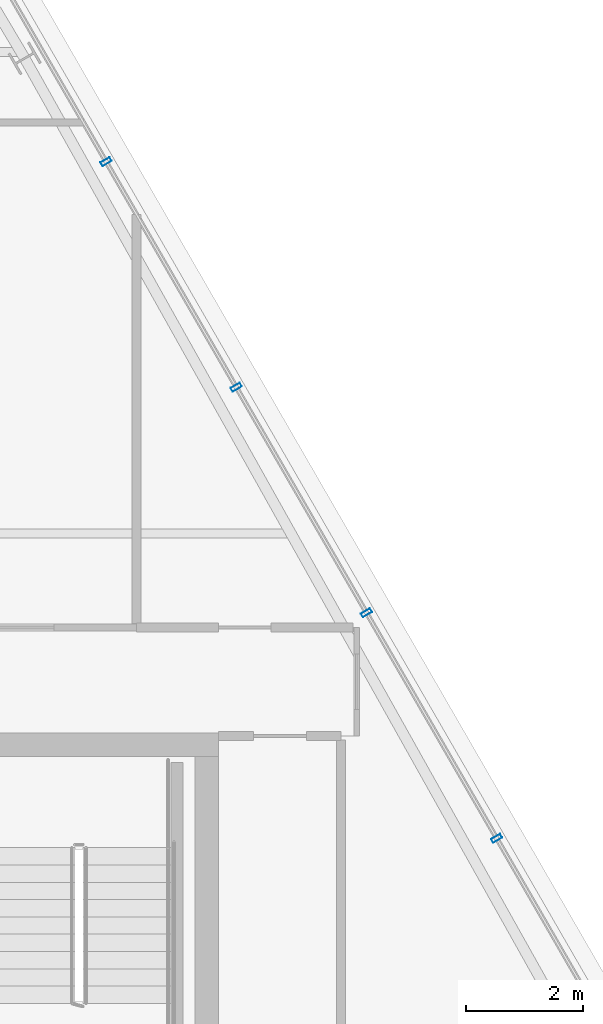
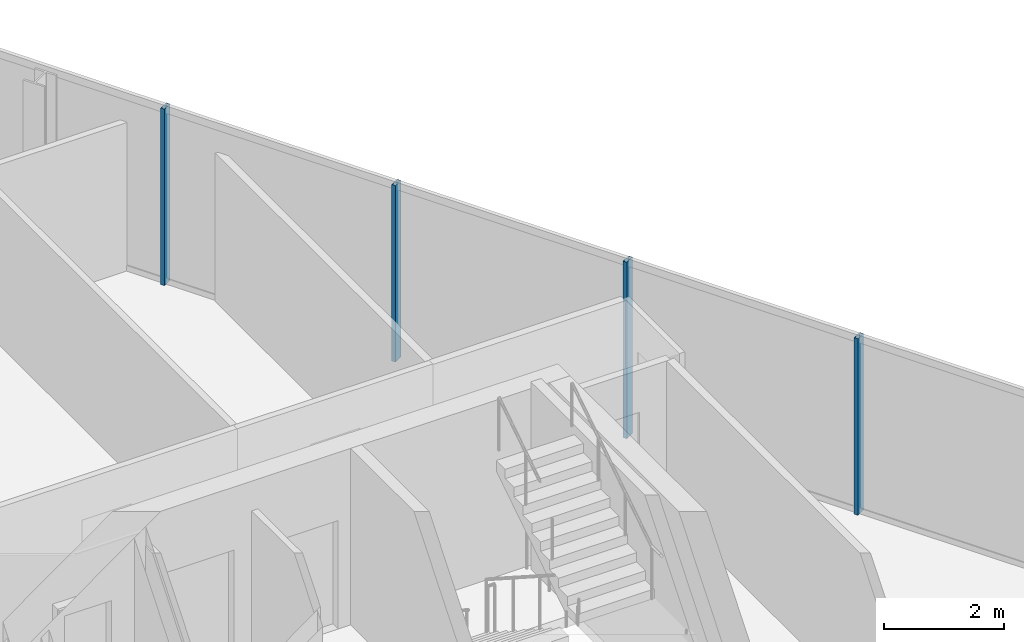
# One storey, part 25 of 35: 4 members, 1 element without a shape of its own.
"""IFC4 building model written with IfcOpenShell, lengths in metres."""

from ifc_helpers import new_model, si_unit, direction, frame, origin, origin_2d, place, context, subcontext, project, spatial, hollow_rectangle, extrude, material, layer, layer_set, material_profile, profile_set, type_object, element, aggregate, save


model = new_model("IFC4")

# Units and contexts
model_context = context("Model", 3, precision=1e-05, world=origin(), true_north=direction((0.0, 1.0)))
body_context = subcontext(model_context, "Body", "Model", "MODEL_VIEW")
ifc_project = project(units=[si_unit("LENGTHUNIT", "METRE"), si_unit("AREAUNIT", "SQUARE_METRE"), si_unit("VOLUMEUNIT", "CUBIC_METRE"), si_unit("PLANEANGLEUNIT", "RADIAN"), si_unit("MASSUNIT", "GRAM", prefix="KILO")], contexts=[model_context])

# Site, building, storey
site_placement = place(None, origin())
site = spatial("IfcSite", under=ifc_project, at=site_placement, CompositionType="ELEMENT")
building_placement = place(site_placement, origin())
building = spatial("IfcBuilding", under=site, at=building_placement, Name="Ndaravel Arena Tower", CompositionType="ELEMENT")
storey_placement = place(building_placement, frame((0.0, 0.0, 271.199951171875)))
storey = spatial("IfcBuildingStorey", under=building, at=storey_placement, Name="L66", CompositionType="ELEMENT", Elevation=271.199951171875)

# Curtain wall, members
ifc_material_1 = material(Name="Aluminium", Category="aluminium")
ifc_layer = layer(ifc_material_1, 0.179931640625)
ifc_layer_set = layer_set([ifc_layer], Name="Aluminium")
curtain_wall_type = type_object("IfcCurtainWallType", Name="CW-SYS-03", PredefinedType="NOTDEFINED", material=ifc_layer_set)
curtain_wall_placement = place(storey_placement, origin())
curtain_wall = element("IfcCurtainWall", 1, at=curtain_wall_placement, inside=storey, type_object=curtain_wall_type, Name="L66 Faceted Crystal Curtain Wall CW-L66-E03", PredefinedType="NOTDEFINED")
ifc_material_2 = material(Name="Aluminium", Category="aluminium")
ifc_material_profile = material_profile(ifc_material_2, hollow_rectangle(XDim=0.074951171875, YDim=0.179931640625, WallThickness=0.00390625, at=origin_2d()), Name="CW MULLION 75x180x4")
ifc_profile_set = profile_set([ifc_material_profile], Name="Aluminium")
member_type = type_object("IfcMemberType", Name="MEM-CW-MUL180", PredefinedType="MULLION", material=ifc_profile_set)
member_1_placement = place(storey_placement, frame((62.2861328125, 13.40869140625, 0.0), z_axis=(0.0, 0.0, 1.0), x_axis=(-0.5, 0.866025403784, 0.0)))
member_1 = element("IfcMember", 2, at=member_1_placement, type_object=member_type, Name="CW-L66-E03 Mullion 01", PredefinedType="MULLION", context=body_context, shape_type="SweptSolid", body=[
    extrude(hollow_rectangle(XDim=0.074951171875, YDim=0.179931640625, WallThickness=0.00390625, at=origin_2d()), origin(), (0.0, 0.0, 1.0), 3.580078125),
])
member_2_placement = place(storey_placement, frame((60.068603515625, 17.25, 0.0), z_axis=(0.0, 0.0, 1.0), x_axis=(-0.5, 0.866025403784, 0.0)))
member_2 = element("IfcMember", 3, at=member_2_placement, type_object=member_type, Name="CW-L66-E03 Mullion 02", PredefinedType="MULLION", context=body_context, shape_type="SweptSolid", body=[
    extrude(hollow_rectangle(XDim=0.074951171875, YDim=0.179931640625, WallThickness=0.00390625, at=origin_2d()), origin(), (0.0, 0.0, 1.0), 3.580078125),
])
member_3_placement = place(storey_placement, frame((57.850830078125, 21.091064453125, 0.0), z_axis=(0.0, 0.0, 1.0), x_axis=(-0.5, 0.866025403784, 0.0)))
member_3 = element("IfcMember", 4, at=member_3_placement, type_object=member_type, Name="CW-L66-E03 Mullion 03", PredefinedType="MULLION", context=body_context, shape_type="SweptSolid", body=[
    extrude(hollow_rectangle(XDim=0.074951171875, YDim=0.179931640625, WallThickness=0.00390625, at=origin_2d()), origin(), (0.0, 0.0, 1.0), 3.580078125),
])
member_4_placement = place(storey_placement, frame((55.63330078125, 24.932373046875, 0.0), z_axis=(0.0, 0.0, 1.0), x_axis=(-0.5, 0.866025403784, 0.0)))
member_4 = element("IfcMember", 5, at=member_4_placement, type_object=member_type, Name="CW-L66-E03 Mullion 04", PredefinedType="MULLION", context=body_context, shape_type="SweptSolid", body=[
    extrude(hollow_rectangle(XDim=0.074951171875, YDim=0.179931640625, WallThickness=0.00390625, at=origin_2d()), origin(), (0.0, 0.0, 1.0), 3.580078125),
])
aggregate(curtain_wall, [member_1, member_2, member_3, member_4])

save(model, "model.ifc")
